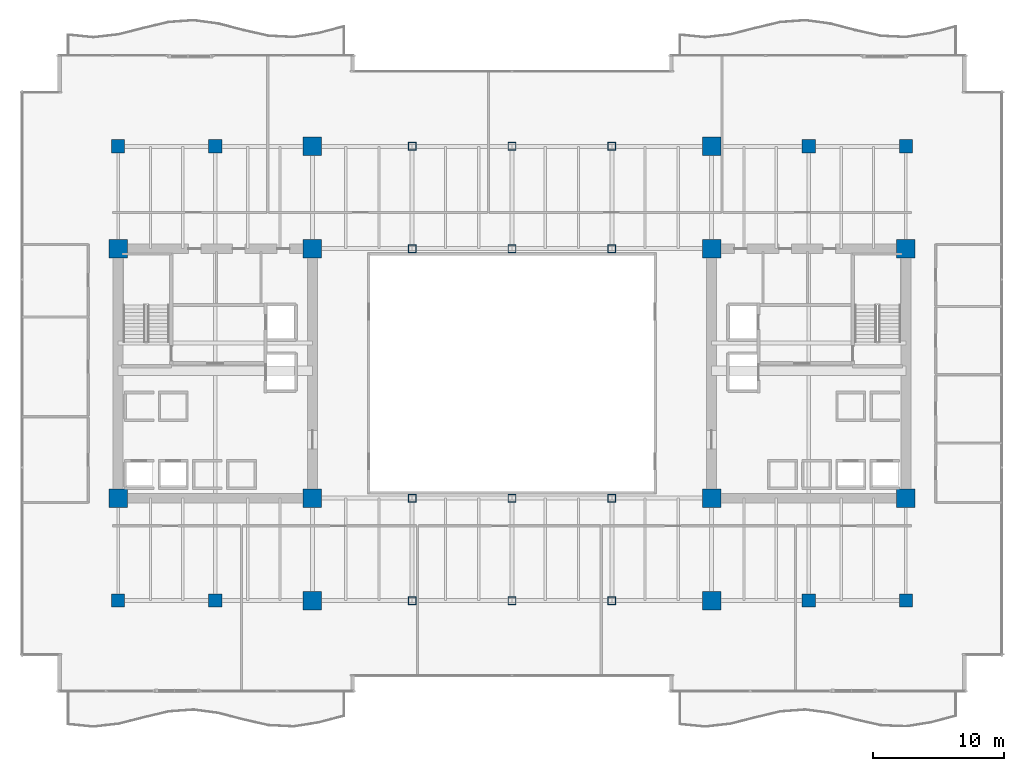
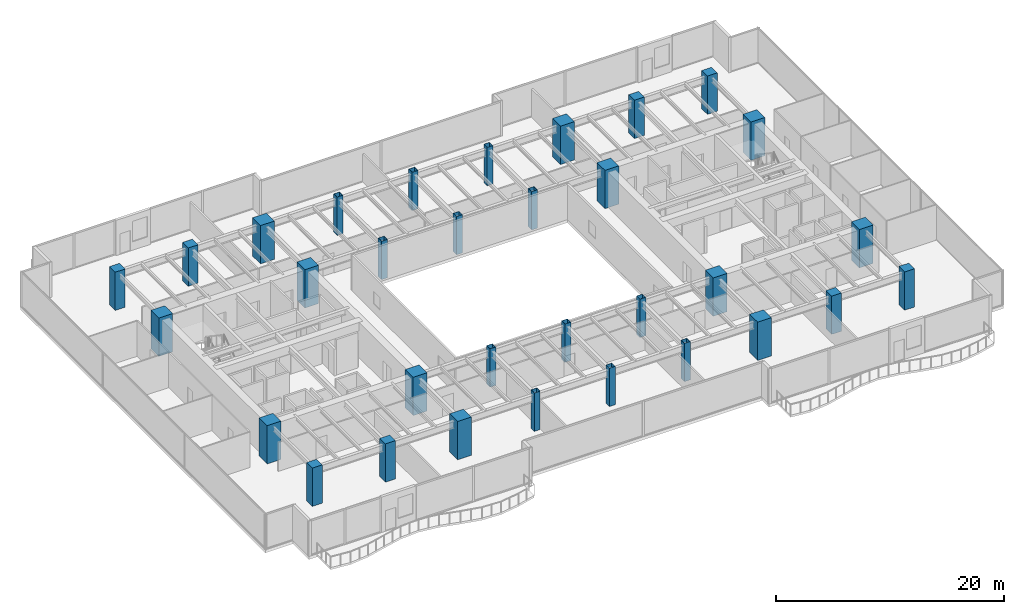
# One storey, part 1 of 31: 32 columns.
"""IFC4 building model written with IfcOpenShell, lengths in metres."""

from ifc_helpers import new_model, si_unit, direction, frame, origin, origin_2d, place, context, subcontext, project, spatial, rectangle, hollow_rectangle, extrude, source, transform, mapped, material, material_profile, profile_set, type_object, type_shapes, element, save


model = new_model("IFC4")

# Units and contexts
model_context = context("Model", 3, precision=1e-05, world=origin(), true_north=direction((0.0, 1.0)))
body_context = subcontext(model_context, "Body", "Model", "MODEL_VIEW")
ifc_project = project(units=[si_unit("LENGTHUNIT", "METRE"), si_unit("AREAUNIT", "SQUARE_METRE"), si_unit("VOLUMEUNIT", "CUBIC_METRE"), si_unit("PLANEANGLEUNIT", "RADIAN"), si_unit("MASSUNIT", "GRAM", prefix="KILO")], contexts=[model_context])

# Site, building, storey
site_placement = place(None, origin())
site = spatial("IfcSite", under=ifc_project, at=site_placement, CompositionType="ELEMENT")
building_placement = place(site_placement, origin())
building = spatial("IfcBuilding", under=site, at=building_placement, Name="Haelvirn Gate Laboratories", CompositionType="ELEMENT")
storey_placement = place(building_placement, frame((0.0, 0.0, 62.10009765625)))
storey = spatial("IfcBuildingStorey", under=building, at=storey_placement, Name="L15", CompositionType="ELEMENT", Elevation=62.10009765625)

# Columns
ifc_material_1 = material(Name="Concrete C60/75", Category="concrete")
ifc_material_profile_1 = material_profile(ifc_material_1, rectangle(XDim=1.0, YDim=1.0, at=origin_2d()), Name="RC-1000x1000")
ifc_profile_set_1 = profile_set([ifc_material_profile_1], Name="Concrete C60/75")
column_type_1 = type_object("IfcColumnType", Name="COL-RC-1000", PredefinedType="COLUMN", material=ifc_profile_set_1)
shared_shape_1 = source(origin(), body_context, "Body", "SweptSolid", [
    extrude(rectangle(XDim=1.0, YDim=1.0, at=origin_2d()), origin(), (0.0, 0.0, 1.0), 4.099853515625),
])
type_shapes(column_type_1, [shared_shape_1])
for number, where, z_axis, x_axis, name in (
    (1, (14.800048828125, 7.0, 0.0), (0.0, 0.0, 1.0), (1.0, 0.0, 0.0), "L15 Column 3B"),
    (2, (14.800048828125, 41.60009765625, 0.0), (0.0, 0.0, 1.0), (1.0, 0.0, 0.0), "L15 Column 3G"),
    (3, (60.0, 7.0, 0.0), (0.0, 0.0, 1.0), (1.0, 0.0, 0.0), "L15 Column 9B"),
    (4, (60.0, 41.60009765625, 0.0), (0.0, 0.0, 1.0), (1.0, 0.0, 0.0), "L15 Column 9G"),
    (5, (7.39990234375, 7.0, 0.0), (0.0, 0.0, 1.0), (1.0, 0.0, 0.0), "L15 Column 2B"),
    (6, (7.39990234375, 41.60009765625, 0.0), (0.0, 0.0, 1.0), (1.0, 0.0, 0.0), "L15 Column 2G"),
    (7, (67.39990234375, 7.0, 0.0), (0.0, 0.0, 1.0), (1.0, 0.0, 0.0), "L15 Column 10B"),
    (8, (67.39990234375, 41.60009765625, 0.0), (0.0, 0.0, 1.0), (1.0, 0.0, 0.0), "L15 Column 10G"),
):
    element("IfcColumn", number, at=place(storey_placement, frame(where, z_axis=z_axis, x_axis=x_axis)), inside=storey, type_object=column_type_1, Name=name, PredefinedType="COLUMN", context=body_context, shape_type="MappedRepresentation", body=[
        mapped(shared_shape_1, transform((0.0, 0.0, 0.0), scale=1.0)),
    ])
ifc_material_2 = material(Name="Concrete C70/85", Category="concrete")
ifc_material_profile_2 = material_profile(ifc_material_2, rectangle(XDim=1.39990234375, YDim=1.39990234375, at=origin_2d()), Name="SRC-1400x1400")
ifc_profile_set_2 = profile_set([ifc_material_profile_2], Name="Concrete C70/85")
column_type_2 = type_object("IfcColumnType", Name="COL-SRC-1400", PredefinedType="COLUMN", material=ifc_profile_set_2)
shared_shape_2 = source(origin(), body_context, "Body", "SweptSolid", [
    extrude(rectangle(XDim=1.39990234375, YDim=1.39990234375, at=origin_2d()), origin(), (0.0, 0.0, 1.0), 4.099853515625),
])
type_shapes(column_type_2, [shared_shape_2])
for number, where, z_axis, x_axis, name in (
    (9, (22.199951171875, 7.0, 0.0), (0.0, 0.0, 1.0), (1.0, 0.0, 0.0), "L15 Column 4B"),
    (10, (7.39990234375, 14.800048828125, 0.0), (0.0, 0.0, 1.0), (1.0, 0.0, 0.0), "L15 Column 2C"),
    (11, (22.199951171875, 14.800048828125, 0.0), (0.0, 0.0, 1.0), (1.0, 0.0, 0.0), "L15 Column 4C"),
    (12, (7.39990234375, 33.800048828125, 0.0), (0.0, 0.0, 1.0), (1.0, 0.0, 0.0), "L15 Column 2F"),
    (13, (22.199951171875, 33.800048828125, 0.0), (0.0, 0.0, 1.0), (1.0, 0.0, 0.0), "L15 Column 4F"),
    (14, (22.199951171875, 41.60009765625, 0.0), (0.0, 0.0, 1.0), (1.0, 0.0, 0.0), "L15 Column 4G"),
    (15, (52.60009765625, 7.0, 0.0), (0.0, 0.0, 1.0), (1.0, 0.0, 0.0), "L15 Column 8B"),
    (16, (52.60009765625, 14.800048828125, 0.0), (0.0, 0.0, 1.0), (1.0, 0.0, 0.0), "L15 Column 8C"),
    (17, (67.39990234375, 14.800048828125, 0.0), (0.0, 0.0, 1.0), (1.0, 0.0, 0.0), "L15 Column 10C"),
    (18, (52.60009765625, 33.800048828125, 0.0), (0.0, 0.0, 1.0), (1.0, 0.0, 0.0), "L15 Column 8F"),
    (19, (67.39990234375, 33.800048828125, 0.0), (0.0, 0.0, 1.0), (1.0, 0.0, 0.0), "L15 Column 10F"),
    (20, (52.60009765625, 41.60009765625, 0.0), (0.0, 0.0, 1.0), (1.0, 0.0, 0.0), "L15 Column 8G"),
):
    element("IfcColumn", number, at=place(storey_placement, frame(where, z_axis=z_axis, x_axis=x_axis)), inside=storey, type_object=column_type_2, Name=name, PredefinedType="COLUMN", context=body_context, shape_type="MappedRepresentation", body=[
        mapped(shared_shape_2, transform((0.0, 0.0, 0.0), scale=1.0)),
    ])
ifc_material_3 = material(Name="Steel SM420", Category="steel")
ifc_material_profile_3 = material_profile(ifc_material_3, hollow_rectangle(XDim=0.60009765625, YDim=0.60009765625, WallThickness=0.028076171875, at=origin_2d()), Name="BOX-600x600x28")
ifc_profile_set_3 = profile_set([ifc_material_profile_3], Name="Steel SM420")
column_type_3 = type_object("IfcColumnType", Name="COL-BOX-600", PredefinedType="COLUMN", material=ifc_profile_set_3)
shared_shape_3 = source(origin(), body_context, "Body", "SweptSolid", [
    extrude(hollow_rectangle(XDim=0.60009765625, YDim=0.60009765625, WallThickness=0.028076171875, at=origin_2d()), origin(), (0.0, 0.0, 1.0), 4.099853515625),
])
type_shapes(column_type_3, [shared_shape_3])
for number, where, z_axis, x_axis, name in (
    (21, (29.800048828125, 7.0, 0.0), (0.0, 0.0, 1.0), (1.0, 0.0, 0.0), "L15 Column 5B"),
    (22, (29.800048828125, 14.800048828125, 0.0), (0.0, 0.0, 1.0), (1.0, 0.0, 0.0), "L15 Column 5C"),
    (23, (29.800048828125, 33.800048828125, 0.0), (0.0, 0.0, 1.0), (1.0, 0.0, 0.0), "L15 Column 5F"),
    (24, (29.800048828125, 41.60009765625, 0.0), (0.0, 0.0, 1.0), (1.0, 0.0, 0.0), "L15 Column 5G"),
    (25, (37.39990234375, 7.0, 0.0), (0.0, 0.0, 1.0), (1.0, 0.0, 0.0), "L15 Column 6B"),
    (26, (37.39990234375, 14.800048828125, 0.0), (0.0, 0.0, 1.0), (1.0, 0.0, 0.0), "L15 Column 6C"),
    (27, (37.39990234375, 33.800048828125, 0.0), (0.0, 0.0, 1.0), (1.0, 0.0, 0.0), "L15 Column 6F"),
    (28, (37.39990234375, 41.60009765625, 0.0), (0.0, 0.0, 1.0), (1.0, 0.0, 0.0), "L15 Column 6G"),
    (29, (45.0, 7.0, 0.0), (0.0, 0.0, 1.0), (1.0, 0.0, 0.0), "L15 Column 7B"),
    (30, (45.0, 14.800048828125, 0.0), (0.0, 0.0, 1.0), (1.0, 0.0, 0.0), "L15 Column 7C"),
    (31, (45.0, 33.800048828125, 0.0), (0.0, 0.0, 1.0), (1.0, 0.0, 0.0), "L15 Column 7F"),
    (32, (45.0, 41.60009765625, 0.0), (0.0, 0.0, 1.0), (1.0, 0.0, 0.0), "L15 Column 7G"),
):
    element("IfcColumn", number, at=place(storey_placement, frame(where, z_axis=z_axis, x_axis=x_axis)), inside=storey, type_object=column_type_3, Name=name, PredefinedType="COLUMN", context=body_context, shape_type="MappedRepresentation", body=[
        mapped(shared_shape_3, transform((0.0, 0.0, 0.0), scale=1.0)),
    ])

save(model, "model.ifc")
